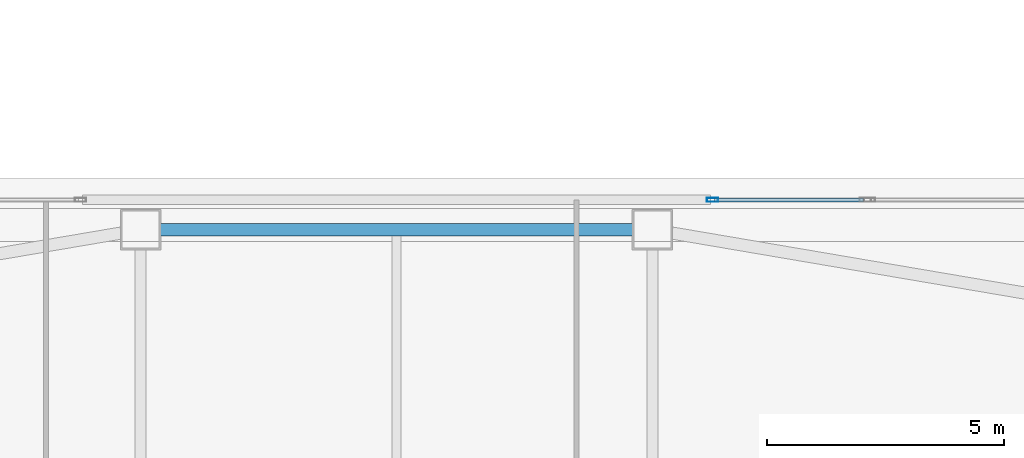
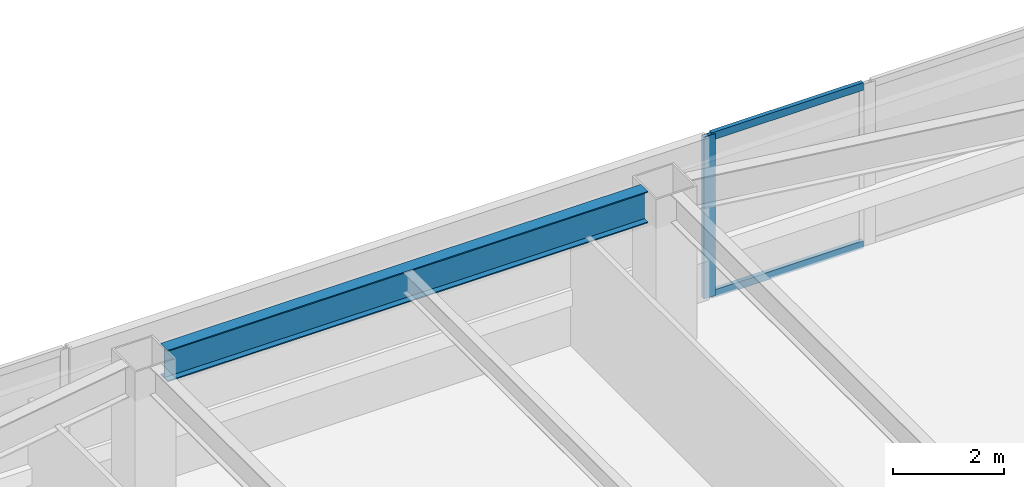
# One storey, part 18 of 62: 3 members, 1 beam, 1 element without a shape of its own.
"""IFC4 building model written with IfcOpenShell, lengths in metres."""

from ifc_helpers import new_model, si_unit, direction, frame, origin, origin_2d, place, context, subcontext, project, spatial, hollow_rectangle, i_section, extrude, material, material_profile, profile_set, type_object, element, aggregate, save


model = new_model("IFC4")

# Units and contexts
model_context = context("Model", 3, precision=1e-05, world=origin(), true_north=direction((0.0, 1.0)))
body_context = subcontext(model_context, "Body", "Model", "MODEL_VIEW")
ifc_project = project(units=[si_unit("LENGTHUNIT", "METRE"), si_unit("AREAUNIT", "SQUARE_METRE"), si_unit("VOLUMEUNIT", "CUBIC_METRE"), si_unit("PLANEANGLEUNIT", "RADIAN"), si_unit("MASSUNIT", "GRAM", prefix="KILO")], contexts=[model_context])

# Site, building, storey
site_placement = place(None, origin())
site = spatial("IfcSite", under=ifc_project, at=site_placement, CompositionType="ELEMENT")
building_placement = place(site_placement, origin())
building = spatial("IfcBuilding", under=site, at=building_placement, Name="Tashvorn Skyway Center", CompositionType="ELEMENT")
storey_placement = place(building_placement, frame((0.0, 0.0, 28.14990234375)))
storey = spatial("IfcBuildingStorey", under=building, at=storey_placement, Name="L06", CompositionType="ELEMENT", Elevation=28.14990234375)

# Beam
ifc_material_1 = material(Name="Steel ASTM A992 Grade 50", Category="steel")
ifc_material_profile_1 = material_profile(ifc_material_1, i_section(OverallWidth=0.256103515625, OverallDepth=0.693115234375, WebThickness=0.014404296875, FlangeThickness=0.023681640625, at=origin_2d()), Name="W27X114")
ifc_profile_set_1 = profile_set([ifc_material_profile_1], Name="Steel ASTM A992 Grade 50")
beam_type = type_object("IfcBeamType", Name="BM-SPANDREL-W27X114", PredefinedType="SPANDREL", material=ifc_profile_set_1)
beam_placement = place(storey_placement, frame((46.97998046875, 54.25, 3.003662109375), z_axis=(-1.0, 0.0, 0.0), x_axis=(0.0, -1.0, 0.0)))
element("IfcBeam", 1, at=beam_placement, inside=storey, type_object=beam_type, Name="Tower 1 L06 Spandrel Beam 08", PredefinedType="SPANDREL", context=body_context, shape_type="SweptSolid", body=[
    extrude(i_section(OverallWidth=0.256103515625, OverallDepth=0.693115234375, WebThickness=0.014404296875, FlangeThickness=0.023681640625, at=origin_2d()), origin(), (0.0, 0.0, 1.0), 9.9599609375),
])

# Curtain wall, members
ifc_material_2 = material(Name="Thermally broken bronze-anodized aluminium 6063-T6", Category="aluminium")
curtain_wall_type = type_object("IfcCurtainWallType", Name="CW-CW-Z1", PredefinedType="NOTDEFINED", material=ifc_material_2)
curtain_wall_placement = place(storey_placement, origin())
curtain_wall = element("IfcCurtainWall", 2, at=curtain_wall_placement, inside=storey, type_object=curtain_wall_type, Name="Tower 1 L06 North Unitised Curtain Wall Glazing Group 3", PredefinedType="NOTDEFINED")
ifc_material_profile_2 = material_profile(ifc_material_2, hollow_rectangle(XDim=0.0849609375, YDim=0.239990234375, WallThickness=0.0048828125, at=origin_2d()), Name="ALU-MULL-85x240")
ifc_profile_set_2 = profile_set([ifc_material_profile_2], Name="Thermally broken bronze-anodized aluminium 6063-T6")
member_type_1 = type_object("IfcMemberType", Name="CWM-CW-Z1", PredefinedType="MULLION", material=ifc_profile_set_2)
member_1_placement = place(storey_placement, frame((48.669189453125, 54.8798828125, 0.0), z_axis=(0.0, 0.0, 1.0), x_axis=(0.0, 1.0, 0.0)))
member_1 = element("IfcMember", 3, at=member_1_placement, type_object=member_type_1, Name="CW-Z1 mullion 1", PredefinedType="MULLION", context=body_context, shape_type="SweptSolid", body=[
    extrude(hollow_rectangle(XDim=0.0849609375, YDim=0.239990234375, WallThickness=0.0048828125, at=origin_2d()), origin(), (0.0, 0.0, 1.0), 3.550048828125),
])
ifc_material_profile_3 = material_profile(ifc_material_2, hollow_rectangle(XDim=0.0849609375, YDim=0.1650390625, WallThickness=0.0048828125, at=origin_2d()), Name="ALU-TRAN-85x165")
ifc_profile_set_3 = profile_set([ifc_material_profile_3], Name="Thermally broken bronze-anodized aluminium 6063-T6")
member_type_2 = type_object("IfcMemberType", Name="CWT-CW-Z1", PredefinedType="USERDEFINED", material=ifc_profile_set_3)
member_2_placement = place(storey_placement, frame((48.711669921875, 54.8798828125, 0.04248046875), z_axis=(1.0, 0.0, 0.0), x_axis=(0.0, 1.0, 0.0)))
member_2 = element("IfcMember", 4, at=member_2_placement, type_object=member_type_2, Name="CW-Z1 transom 1.1", ObjectType="TRANSOM", PredefinedType="USERDEFINED", context=body_context, shape_type="SweptSolid", body=[
    extrude(hollow_rectangle(XDim=0.0849609375, YDim=0.1650390625, WallThickness=0.0048828125, at=origin_2d()), origin(), (0.0, 0.0, 1.0), 3.143310546875),
])
member_3_placement = place(storey_placement, frame((48.711669921875, 54.8798828125, 3.507568359375), z_axis=(1.0, 0.0, 0.0), x_axis=(0.0, 1.0, 0.0)))
member_3 = element("IfcMember", 5, at=member_3_placement, type_object=member_type_2, Name="CW-Z1 transom 1.2", ObjectType="TRANSOM", PredefinedType="USERDEFINED", context=body_context, shape_type="SweptSolid", body=[
    extrude(hollow_rectangle(XDim=0.0849609375, YDim=0.1650390625, WallThickness=0.0048828125, at=origin_2d()), origin(), (0.0, 0.0, 1.0), 3.143310546875),
])
aggregate(curtain_wall, [member_1, member_2, member_3])

save(model, "model.ifc")
